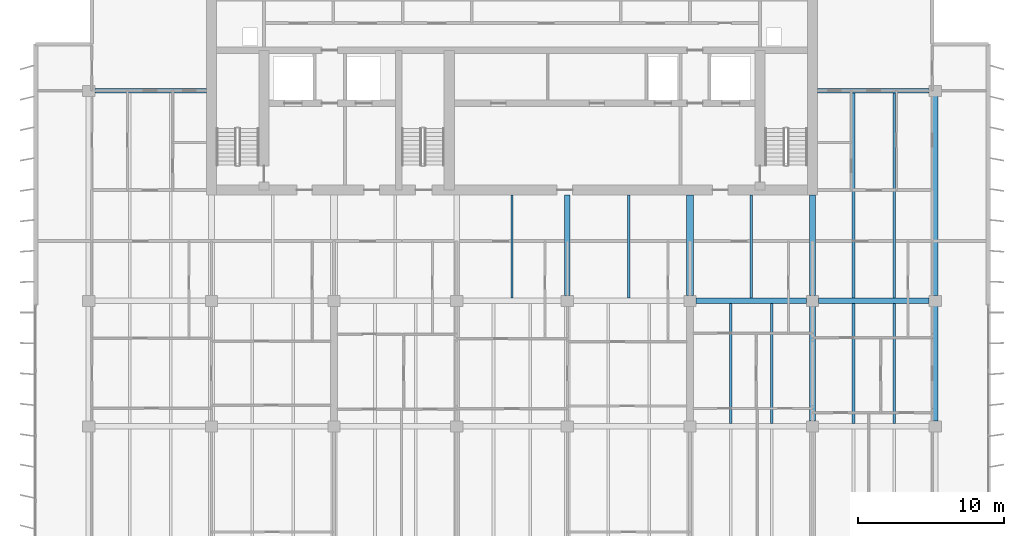
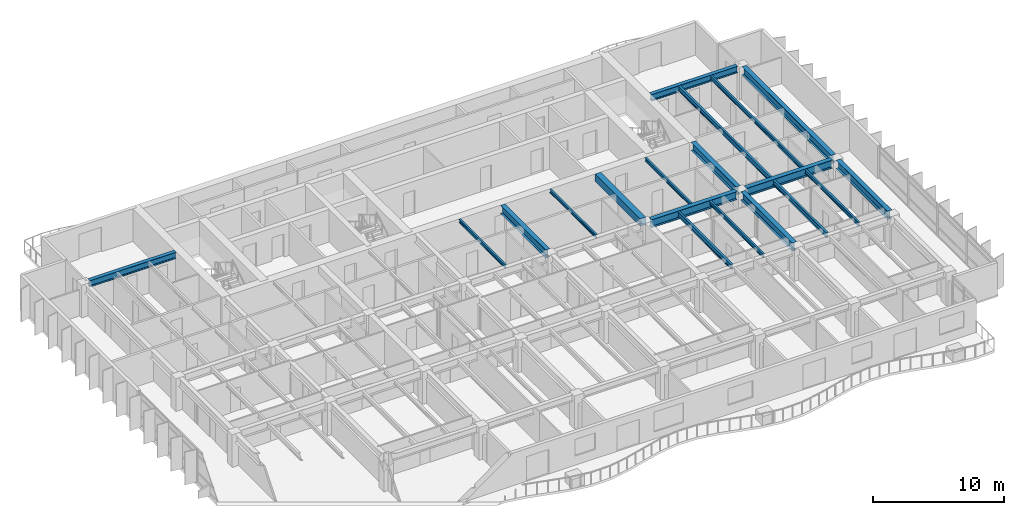
# One storey, part 5 of 19: 19 beams.
"""IFC4 building model written with IfcOpenShell, lengths in metres."""

from ifc_helpers import new_model, si_unit, direction, frame, origin, origin_2d, place, context, subcontext, project, spatial, rectangle, i_section, extrude, material, material_profile, profile_set, type_object, element, save


model = new_model("IFC4")

# Units and contexts
model_context = context("Model", 3, precision=1e-05, world=origin(), true_north=direction((0.0, 1.0)))
body_context = subcontext(model_context, "Body", "Model", "MODEL_VIEW")
ifc_project = project(units=[si_unit("LENGTHUNIT", "METRE"), si_unit("AREAUNIT", "SQUARE_METRE"), si_unit("VOLUMEUNIT", "CUBIC_METRE"), si_unit("PLANEANGLEUNIT", "RADIAN"), si_unit("MASSUNIT", "GRAM", prefix="KILO")], contexts=[model_context])

# Site, building, storey
site_placement = place(None, origin())
site = spatial("IfcSite", under=ifc_project, at=site_placement, CompositionType="ELEMENT")
building_placement = place(site_placement, origin())
building = spatial("IfcBuilding", under=site, at=building_placement, Name="Caelmar Bay Residences", CompositionType="ELEMENT")
storey_placement = place(building_placement, frame((0.0, 0.0, 188.39990234375)))
storey = spatial("IfcBuildingStorey", under=building, at=storey_placement, Name="L52", CompositionType="ELEMENT", Elevation=188.39990234375)

# Beams
ifc_material_1 = material(Name="Steel ASTM A992 Grade 50", Category="steel")
ifc_material_profile_1 = material_profile(ifc_material_1, i_section(OverallWidth=0.381103515625, OverallDepth=0.77197265625, WebThickness=0.0166015625, FlangeThickness=0.027099609375, FilletRadius=0.0166015625, at=origin_2d()), Name="W30X173")
ifc_profile_set_1 = profile_set([ifc_material_profile_1], Name="Steel ASTM A992 Grade 50")
beam_type_1 = type_object("IfcBeamType", Name="BM-GRD-W30X173", PredefinedType="BEAM", material=ifc_profile_set_1)
for number, where, z_axis, x_axis, name in (
    (1, (51.514892578125, 29.39990234375, 2.6640625), (1.0, 0.0, 0.0), (0.0, 1.0, 0.0), "L52 East-West Girder Y=29.40 (51.1-59.5)"),
    (2, (59.9150390625, 29.39990234375, 2.6640625), (1.0, 0.0, 0.0), (0.0, 1.0, 0.0), "L52 East-West Girder Y=29.40 (59.5-67.9)"),
):
    element("IfcBeam", number, at=place(storey_placement, frame(where, z_axis=z_axis, x_axis=x_axis)), inside=storey, type_object=beam_type_1, Name=name, PredefinedType="BEAM", context=body_context, shape_type="SweptSolid", body=[
        extrude(i_section(OverallWidth=0.381103515625, OverallDepth=0.77197265625, WebThickness=0.0166015625, FlangeThickness=0.027099609375, FilletRadius=0.0166015625, at=origin_2d()), origin(), (0.0, 0.0, 1.0), 7.570068359375),
    ])
for number, where, z_axis, x_axis, name in (
    (3, (42.699951171875, 29.764892578125, 2.6640625), (0.0, 1.0, 0.0), (-1.0, 0.0, 0.0), "L52 Core Tie Girder X=42.70"),
    (4, (59.5, 29.764892578125, 2.6640625), (0.0, 1.0, 0.0), (-1.0, 0.0, 0.0), "L52 Core Tie Girder X=59.50"),
):
    element("IfcBeam", number, at=place(storey_placement, frame(where, z_axis=z_axis, x_axis=x_axis)), inside=storey, type_object=beam_type_1, Name=name, PredefinedType="BEAM", context=body_context, shape_type="SweptSolid", body=[
        extrude(i_section(OverallWidth=0.381103515625, OverallDepth=0.77197265625, WebThickness=0.0166015625, FlangeThickness=0.027099609375, FilletRadius=0.0166015625, at=origin_2d()), origin(), (0.0, 0.0, 1.0), 6.885009765625),
    ])
for number, where, z_axis, x_axis, name in (
    (5, (59.5, 21.1650390625, 2.6640625), (0.0, 1.0, 0.0), (-1.0, 0.0, 0.0), "L52 North-South Girder X=59.50 (20.8-29.4)"),
    (6, (67.89990234375, 21.1650390625, 2.6640625), (0.0, 1.0, 0.0), (-1.0, 0.0, 0.0), "L52 North-South Girder X=67.90 (20.8-29.4)"),
):
    element("IfcBeam", number, at=place(storey_placement, frame(where, z_axis=z_axis, x_axis=x_axis)), inside=storey, type_object=beam_type_1, Name=name, PredefinedType="BEAM", context=body_context, shape_type="SweptSolid", body=[
        extrude(i_section(OverallWidth=0.381103515625, OverallDepth=0.77197265625, WebThickness=0.0166015625, FlangeThickness=0.027099609375, FilletRadius=0.0166015625, at=origin_2d()), origin(), (0.0, 0.0, 1.0), 7.869873046875),
    ])
beam_1_placement = place(storey_placement, frame((67.89990234375, 29.764892578125, 2.6640625), z_axis=(0.0, 1.0, 0.0), x_axis=(-1.0, 0.0, 0.0)))
element("IfcBeam", 7, at=beam_1_placement, inside=storey, type_object=beam_type_1, Name="L52 North-South Girder X=67.90 (29.4-43.8)", PredefinedType="BEAM", context=body_context, shape_type="SweptSolid", body=[
    extrude(i_section(OverallWidth=0.381103515625, OverallDepth=0.77197265625, WebThickness=0.0166015625, FlangeThickness=0.027099609375, FilletRadius=0.0166015625, at=origin_2d()), origin(), (0.0, 0.0, 1.0), 13.670166015625),
])
ifc_material_profile_2 = material_profile(ifc_material_1, i_section(OverallWidth=0.1650390625, OverallDepth=0.31005859375, WebThickness=0.005859375, FlangeThickness=0.009765625, FilletRadius=0.007568359375, at=origin_2d()), Name="W12X26")
ifc_profile_set_2 = profile_set([ifc_material_profile_2], Name="Steel ASTM A992 Grade 50")
beam_type_2 = type_object("IfcBeamType", Name="BM-JST-W12X26", PredefinedType="JOIST", material=ifc_profile_set_2)
for number, where, z_axis, x_axis, name in (
    (8, (38.89990234375, 29.590576171875, 2.89501953125), (0.0, 1.0, 0.0), (-1.0, 0.0, 0.0), "L52 Core-Band Composite Joist 31"),
    (9, (46.89990234375, 29.590576171875, 2.89501953125), (0.0, 1.0, 0.0), (-1.0, 0.0, 0.0), "L52 Core-Band Composite Joist 32"),
    (10, (55.300048828125, 29.590576171875, 2.89501953125), (0.0, 1.0, 0.0), (-1.0, 0.0, 0.0), "L52 Core-Band Composite Joist 33"),
):
    element("IfcBeam", number, at=place(storey_placement, frame(where, z_axis=z_axis, x_axis=x_axis)), inside=storey, type_object=beam_type_2, Name=name, PredefinedType="JOIST", context=body_context, shape_type="SweptSolid", body=[
        extrude(i_section(OverallWidth=0.1650390625, OverallDepth=0.31005859375, WebThickness=0.005859375, FlangeThickness=0.009765625, FilletRadius=0.007568359375, at=origin_2d()), origin(), (0.0, 0.0, 1.0), 7.059326171875),
    ])
ifc_material_profile_3 = material_profile(ifc_material_1, i_section(OverallWidth=0.1708984375, OverallDepth=0.35595703125, WebThickness=0.007080078125, FlangeThickness=0.01171875, FilletRadius=0.007568359375, at=origin_2d()), Name="W14X34")
ifc_profile_set_3 = profile_set([ifc_material_profile_3], Name="Steel ASTM A992 Grade 50")
beam_type_3 = type_object("IfcBeamType", Name="BM-JST-W14X34", PredefinedType="JOIST", material=ifc_profile_set_3)
for number, where, z_axis, x_axis, name in (
    (11, (56.699951171875, 20.990478515625, 2.8720703125), (0.0, 1.0, 0.0), (-1.0, 0.0, 0.0), "L52 Composite Floor Joist 26"),
    (12, (65.10009765625, 20.990478515625, 2.8720703125), (0.0, 1.0, 0.0), (-1.0, 0.0, 0.0), "L52 Composite Floor Joist 28"),
):
    element("IfcBeam", number, at=place(storey_placement, frame(where, z_axis=z_axis, x_axis=x_axis)), inside=storey, type_object=beam_type_3, Name=name, PredefinedType="JOIST", context=body_context, shape_type="SweptSolid", body=[
        extrude(i_section(OverallWidth=0.1708984375, OverallDepth=0.35595703125, WebThickness=0.007080078125, FlangeThickness=0.01171875, FilletRadius=0.007568359375, at=origin_2d()), origin(), (0.0, 0.0, 1.0), 8.218994140625),
    ])
beam_2_placement = place(storey_placement, frame((65.10009765625, 29.590576171875, 2.8720703125), z_axis=(0.0, 1.0, 0.0), x_axis=(-1.0, 0.0, 0.0)))
element("IfcBeam", 13, at=beam_2_placement, inside=storey, type_object=beam_type_3, Name="L52 Composite Floor Joist 37", PredefinedType="JOIST", context=body_context, shape_type="SweptSolid", body=[
    extrude(i_section(OverallWidth=0.1708984375, OverallDepth=0.35595703125, WebThickness=0.007080078125, FlangeThickness=0.01171875, FilletRadius=0.007568359375, at=origin_2d()), origin(), (0.0, 0.0, 1.0), 14.046875),
])
ifc_material_profile_4 = material_profile(ifc_material_1, i_section(OverallWidth=0.19091796875, OverallDepth=0.45703125, WebThickness=0.009033203125, FlangeThickness=0.014404296875, FilletRadius=0.01025390625, at=origin_2d()), Name="W18X50")
ifc_profile_set_4 = profile_set([ifc_material_profile_4], Name="Steel ASTM A992 Grade 50")
beam_type_4 = type_object("IfcBeamType", Name="BM-JST-W18X50", PredefinedType="JOIST", material=ifc_profile_set_4)
for number, where, z_axis, x_axis, name in (
    (14, (53.89990234375, 20.990478515625, 2.821533203125), (0.0, 1.0, 0.0), (-1.0, 0.0, 0.0), "L52 Composite Floor Joist 25"),
    (15, (62.300048828125, 20.990478515625, 2.821533203125), (0.0, 1.0, 0.0), (-1.0, 0.0, 0.0), "L52 Composite Floor Joist 27"),
):
    element("IfcBeam", number, at=place(storey_placement, frame(where, z_axis=z_axis, x_axis=x_axis)), inside=storey, type_object=beam_type_4, Name=name, PredefinedType="JOIST", context=body_context, shape_type="SweptSolid", body=[
        extrude(i_section(OverallWidth=0.19091796875, OverallDepth=0.45703125, WebThickness=0.009033203125, FlangeThickness=0.014404296875, FilletRadius=0.01025390625, at=origin_2d()), origin(), (0.0, 0.0, 1.0), 8.218994140625),
    ])
beam_3_placement = place(storey_placement, frame((62.300048828125, 29.590576171875, 2.821533203125), z_axis=(0.0, 1.0, 0.0), x_axis=(-1.0, 0.0, 0.0)))
element("IfcBeam", 16, at=beam_3_placement, inside=storey, type_object=beam_type_4, Name="L52 Composite Floor Joist 36", PredefinedType="JOIST", context=body_context, shape_type="SweptSolid", body=[
    extrude(i_section(OverallWidth=0.19091796875, OverallDepth=0.45703125, WebThickness=0.009033203125, FlangeThickness=0.014404296875, FilletRadius=0.01025390625, at=origin_2d()), origin(), (0.0, 0.0, 1.0), 14.046875),
])
ifc_material_2 = material(Name="Concrete f'c 55 MPa (8,000 psi)", Category="concrete")
ifc_material_profile_5 = material_profile(ifc_material_2, rectangle(XDim=0.5, YDim=0.699951171875, at=origin_2d()), Name="RC-BM-500X700")
ifc_profile_set_5 = profile_set([ifc_material_profile_5], Name="Concrete f'c 55 MPa (8,000 psi)")
beam_type_5 = type_object("IfcBeamType", Name="BM-RC-500X700", PredefinedType="LINTEL", material=ifc_profile_set_5)
beam_4_placement = place(storey_placement, frame((51.10009765625, 29.764892578125, 2.7001953125), z_axis=(0.0, 1.0, 0.0), x_axis=(-1.0, 0.0, 0.0)))
element("IfcBeam", 17, at=beam_4_placement, inside=storey, type_object=beam_type_5, Name="L52 Shear-Wall Corridor Coupling Lintel E8", PredefinedType="LINTEL", context=body_context, shape_type="SweptSolid", body=[
    extrude(rectangle(XDim=0.5, YDim=0.699951171875, at=origin_2d()), origin(), (0.0, 0.0, 1.0), 6.885009765625),
])
ifc_material_profile_6 = material_profile(ifc_material_1, i_section(OverallWidth=0.324951171875, OverallDepth=0.616943359375, WebThickness=0.013916015625, FlangeThickness=0.021484375, FilletRadius=0.0126953125, at=origin_2d()), Name="W24X117")
ifc_profile_set_6 = profile_set([ifc_material_profile_6], Name="Steel ASTM A992 Grade 50")
beam_type_6 = type_object("IfcBeamType", Name="BM-SPN-W24X117", PredefinedType="SPANDREL", material=ifc_profile_set_6)
for number, where, z_axis, x_axis, name in (
    (18, (10.31494140625, 43.800048828125, 2.74169921875), (1.0, 0.0, 0.0), (0.0, 1.0, 0.0), "L52 North-West Wing Core Tie Girder"),
    (19, (59.85009765625, 43.800048828125, 2.74169921875), (1.0, 0.0, 0.0), (0.0, 1.0, 0.0), "L52 North-East Wing Core Tie Girder"),
):
    element("IfcBeam", number, at=place(storey_placement, frame(where, z_axis=z_axis, x_axis=x_axis)), inside=storey, type_object=beam_type_6, Name=name, PredefinedType="SPANDREL", context=body_context, shape_type="SweptSolid", body=[
        extrude(i_section(OverallWidth=0.324951171875, OverallDepth=0.616943359375, WebThickness=0.013916015625, FlangeThickness=0.021484375, FilletRadius=0.0126953125, at=origin_2d()), origin(), (0.0, 0.0, 1.0), 7.635009765625),
    ])

save(model, "model.ifc")
